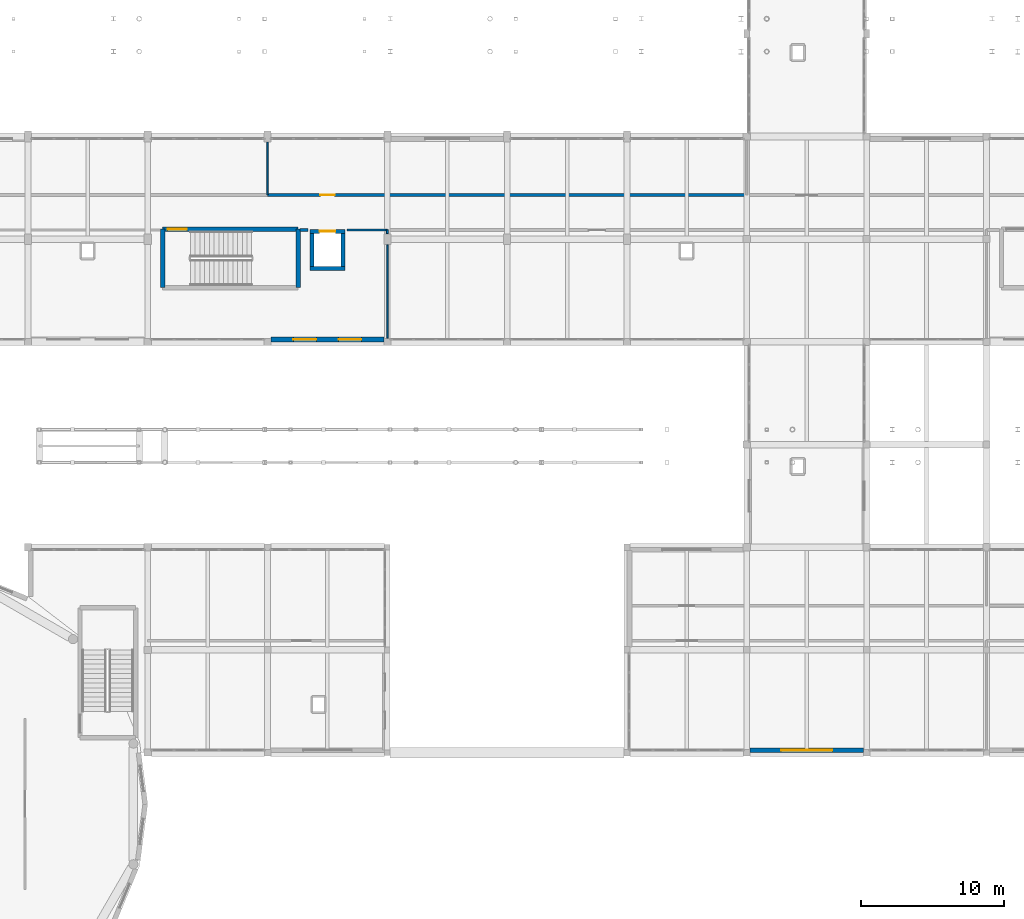
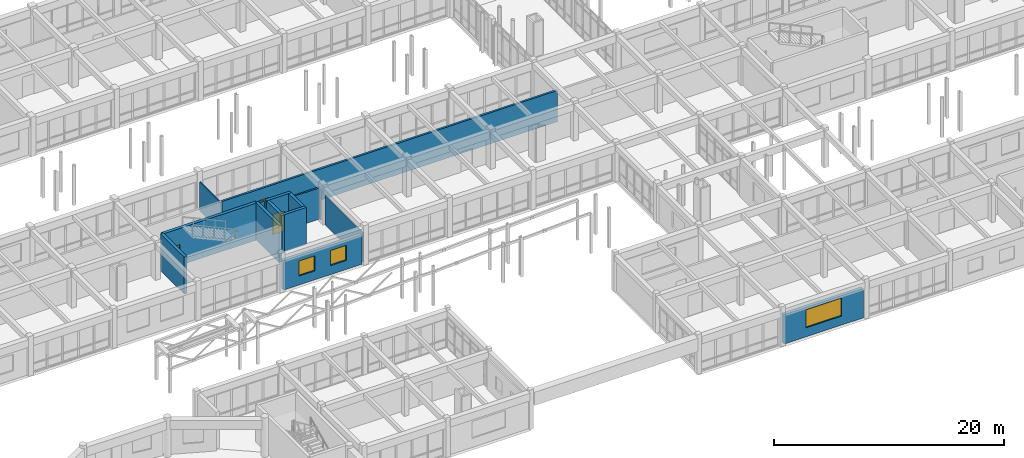
# One storey, part 126 of 147: 15 walls, 3 doors, 3 windows, 6 openings.
"""IFC4 building model written with IfcOpenShell, lengths in metres."""

from ifc_helpers import new_model, si_unit, direction, frame, frame_2d, origin, place, context, subcontext, project, spatial, rectangle, extrude, material, layer, layer_set, type_object, element, fill, save


model = new_model("IFC4")

# Units and contexts
model_context = context("Model", 3, precision=1e-05, world=origin(), true_north=direction((0.0, 1.0)))
body_context = subcontext(model_context, "Body", "Model", "MODEL_VIEW")
ifc_project = project(units=[si_unit("LENGTHUNIT", "METRE"), si_unit("AREAUNIT", "SQUARE_METRE"), si_unit("VOLUMEUNIT", "CUBIC_METRE"), si_unit("PLANEANGLEUNIT", "RADIAN"), si_unit("MASSUNIT", "GRAM", prefix="KILO")], contexts=[model_context])

# Site, building, storey
site_placement = place(None, origin())
site = spatial("IfcSite", under=ifc_project, at=site_placement, CompositionType="ELEMENT")
building_placement = place(site_placement, origin())
building = spatial("IfcBuilding", under=site, at=building_placement, Name="Malvenik Polytechnic", CompositionType="ELEMENT")
storey_placement = place(building_placement, frame((0.0, 0.0, 5.10009765625)))
storey = spatial("IfcBuildingStorey", under=building, at=storey_placement, Name="L01", CompositionType="ELEMENT", Elevation=5.10009765625)

# Wall
ifc_material_1 = material(Name="Concrete C35/45", Category="concrete")
ifc_layer_1 = layer(ifc_material_1, 0.280029296875)
ifc_layer_set_1 = layer_set([ifc_layer_1], Name="Concrete C35/45")
wall_type_1 = type_object("IfcWallType", Name="ARC-CW-S280", PredefinedType="SHEAR", material=ifc_layer_set_1)
wall_1_placement = place(storey_placement, frame((47.43994140625, 55.550048828125, 0.0), z_axis=(0.0, 0.0, 1.0), x_axis=(-1.0, 0.0, 0.0)))
element("IfcWall", 1, at=wall_1_placement, inside=storey, type_object=wall_type_1, Name="Lift Shaft Shear Wall LP-03 L01 -Y", PredefinedType="SHEAR", context=body_context, shape_type="SweptSolid", body=[
    extrude(rectangle(XDim=2.47998046875, YDim=0.280029296875, at=frame_2d((1.239990234375, 0.0))), origin(), (0.0, 0.0, 1.0), 3.919921875),
])

# Wall, opening, door
wall_2_placement = place(storey_placement, frame((44.9599609375, 58.14990234375, 0.0), z_axis=(0.0, 0.0, 1.0), x_axis=(1.0, 0.0, 0.0)))
wall_2 = element("IfcWall", 2, at=wall_2_placement, inside=storey, type_object=wall_type_1, Name="Lift Shaft Shear Wall LP-03 L01 +Y", PredefinedType="SHEAR", context=body_context, shape_type="SweptSolid", body=[
    extrude(rectangle(XDim=2.47998046875, YDim=0.280029296875, at=frame_2d((1.239990234375, 0.0))), origin(), (0.0, 0.0, 1.0), 3.919921875),
])
opening_1_placement = place(wall_2_placement, frame((0.68994140625, 0.0, 0.0)))
opening_1 = element("IfcOpeningElement", 3, at=opening_1_placement, cuts=wall_2, Name="Opening LD-01", PredefinedType="OPENING", context=body_context, shape_type="SweptSolid", body=[
    extrude(rectangle(XDim=1.10009765625, YDim=2.14990234375, at=frame_2d((0.550048828125, 1.074951171875))), frame((0.0, 0.14990234375, 0.0), z_axis=(0.0, -1.0, 0.0), x_axis=(1.0, 0.0, 0.0)), (0.0, 0.0, 1.0), 0.300048828125),
])
ifc_material_2 = material(Name="Stainless steel fire-rated sliding lift landing door", Category="steel")
door_type_1 = type_object("IfcDoorType", Name="ARC-LDR-LD-01", OperationType="NOTDEFINED", PredefinedType="DOOR", material=ifc_material_2)
door_1_placement = place(opening_1_placement, origin())
door_1 = element("IfcDoor", 4, at=door_1_placement, inside=storey, type_object=door_type_1, Name="Lift Sliding Landing Door LP-03 L01", OperationType="DOUBLE_DOOR_SLIDING", OverallHeight=2.14990234375, OverallWidth=1.10009765625, PredefinedType="DOOR", context=body_context, shape_type="SweptSolid", body=[
    extrude(rectangle(XDim=1.10009765625, YDim=2.14990234375, at=frame_2d((0.550048828125, 1.074951171875))), frame((0.0, 0.02490234375, 0.0), z_axis=(0.0, -1.0, 0.0), x_axis=(1.0, 0.0, 0.0)), (0.0, 0.0, 1.0), 0.050048828125),
])
fill(opening_1, door_1)

# Walls
for number, where, z_axis, x_axis, name in (
    (5, (45.10009765625, 55.409912109375, 0.0), (0.0, 0.0, 1.0), (0.0, 1.0, 0.0), "Lift Shaft Shear Wall LP-03 L01 -X"),
    (6, (47.300048828125, 58.2900390625, 0.0), (0.0, 0.0, 1.0), (0.0, -1.0, 0.0), "Lift Shaft Shear Wall LP-03 L01 +X"),
):
    element("IfcWall", number, at=place(storey_placement, frame(where, z_axis=z_axis, x_axis=x_axis)), inside=storey, type_object=wall_type_1, Name=name, PredefinedType="SHEAR", context=body_context, shape_type="SweptSolid", body=[
        extrude(rectangle(XDim=2.880126953125, YDim=0.280029296875, at=frame_2d((1.43994140625, 0.0))), origin(), (0.0, 0.0, 1.0), 3.919921875),
    ])
ifc_layer_2 = layer(ifc_material_1, 0.300048828125)
ifc_layer_set_2 = layer_set([ifc_layer_2], Name="Concrete C35/45")
wall_type_2 = type_object("IfcWallType", Name="ARC-CW-S300", PredefinedType="SHEAR", material=ifc_layer_set_2)
wall_3_placement = place(storey_placement, frame((34.64990234375, 54.199951171875, 0.0), z_axis=(0.0, 0.0, 1.0), x_axis=(0.0, 1.0, 0.0)))
element("IfcWall", 7, at=wall_3_placement, inside=storey, type_object=wall_type_2, Name="Stair Core Shear Wall ST-06 L01 NEAR", PredefinedType="SHEAR", context=body_context, shape_type="SweptSolid", body=[
    extrude(rectangle(XDim=4.10009765625, YDim=0.300048828125, at=frame_2d((2.050048828125, 0.0))), origin(), (0.0, 0.0, 1.0), 3.919921875),
])

# Wall, opening, door
wall_4_placement = place(storey_placement, frame((34.64990234375, 58.300048828125, 0.0), z_axis=(0.0, 0.0, 1.0), x_axis=(1.0, 0.0, 0.0)))
wall_4 = element("IfcWall", 8, at=wall_4_placement, inside=storey, type_object=wall_type_2, Name="Stair Core Shear Wall ST-06 L01 RGHT", PredefinedType="SHEAR", context=body_context, shape_type="SweptSolid", body=[
    extrude(rectangle(XDim=9.5, YDim=0.300048828125, at=frame_2d((4.75, 0.0))), origin(), (0.0, 0.0, 1.0), 3.919921875),
])
opening_2_placement = place(wall_4_placement, frame((0.35009765625, 0.0, 0.0)))
opening_2 = element("IfcOpeningElement", 9, at=opening_2_placement, cuts=wall_4, Name="Opening SD-01", PredefinedType="OPENING", context=body_context, shape_type="SweptSolid", body=[
    extrude(rectangle(XDim=1.35009765625, YDim=2.199951171875, at=frame_2d((0.675048828125, 1.10009765625))), frame((0.0, 0.16015625, 0.0), z_axis=(0.0, -1.0, 0.0), x_axis=(1.0, 0.0, 0.0)), (0.0, 0.0, 1.0), 0.320068359375),
])
ifc_material_3 = material(Name="Fire-rated steel stair enclosure door", Category="steel")
door_type_2 = type_object("IfcDoorType", Name="ARC-IDR-SD-01", OperationType="NOTDEFINED", PredefinedType="DOOR", material=ifc_material_3)
door_2_placement = place(opening_2_placement, origin())
door_2 = element("IfcDoor", 10, at=door_2_placement, inside=storey, type_object=door_type_2, Name="Fire Stair Door ST-06 L01", OperationType="SINGLE_SWING_LEFT", OverallHeight=2.199951171875, OverallWidth=1.35009765625, PredefinedType="DOOR", context=body_context, shape_type="SweptSolid", body=[
    extrude(rectangle(XDim=1.35009765625, YDim=2.199951171875, at=frame_2d((0.675048828125, 1.10009765625))), frame((0.0, 0.02490234375, 0.0), z_axis=(0.0, -1.0, 0.0), x_axis=(1.0, 0.0, 0.0)), (0.0, 0.0, 1.0), 0.050048828125),
])
fill(opening_2, door_2)

# Wall
wall_5_placement = place(storey_placement, frame((44.14990234375, 58.300048828125, 0.0), z_axis=(0.0, 0.0, 1.0), x_axis=(0.0, -1.0, 0.0)))
element("IfcWall", 11, at=wall_5_placement, inside=storey, type_object=wall_type_2, Name="Stair Core Shear Wall ST-06 L01 FAR", PredefinedType="SHEAR", context=body_context, shape_type="SweptSolid", body=[
    extrude(rectangle(XDim=4.10009765625, YDim=0.300048828125, at=frame_2d((2.050048828125, 0.0))), origin(), (0.0, 0.0, 1.0), 3.919921875),
])

# Wall, opening, window
ifc_material_4 = material(Name="Concrete C30/37", Category="concrete")
ifc_layer_3 = layer(ifc_material_4, 0.340087890625)
ifc_layer_set_3 = layer_set([ifc_layer_3], Name="Concrete C30/37")
wall_type_3 = type_object("IfcWallType", Name="ARC-EW-340", PredefinedType="SOLIDWALL", material=ifc_layer_set_3)
wall_6_placement = place(storey_placement, frame((83.777099609375, 21.77001953125, 0.0), z_axis=(0.0, 0.0, 1.0), x_axis=(-1.0, 0.0, 0.0)))
wall_6 = element("IfcWall", 12, at=wall_6_placement, inside=storey, type_object=wall_type_3, Name="External Facade Wall EW-02 L01 #235", PredefinedType="SOLIDWALL", context=body_context, shape_type="SweptSolid", body=[
    extrude(rectangle(XDim=7.9541015625, YDim=0.340087890625, at=frame_2d((3.97705078125, 0.0))), origin(), (0.0, 0.0, 1.0), 3.10986328125),
])
opening_3_placement = place(wall_6_placement, frame((2.177001953125, 0.0, 0.949951171875)))
opening_3 = element("IfcOpeningElement", 13, at=opening_3_placement, cuts=wall_6, Name="Opening W-17", PredefinedType="OPENING", context=body_context, shape_type="SweptSolid", body=[
    extrude(rectangle(XDim=3.60009765625, YDim=1.909912109375, at=frame_2d((1.800048828125, 0.955078125))), frame((0.0, 0.18017578125, 0.0), z_axis=(0.0, -1.0, 0.0), x_axis=(1.0, 0.0, 0.0)), (0.0, 0.0, 1.0), 0.360107421875),
])
ifc_material_5 = material(Name="Thermally broken aluminium frame with low-E double glazing", Category="aluminium")
window_type_1 = type_object("IfcWindowType", Name="ARC-WIN-W-17", PartitioningType="SINGLE_PANEL", PredefinedType="WINDOW", material=ifc_material_5)
window_1_placement = place(opening_3_placement, origin())
window_1 = element("IfcWindow", 14, at=window_1_placement, inside=storey, type_object=window_type_1, Name="Punched Window W-17 L01 #198", OverallHeight=1.909912109375, OverallWidth=3.60009765625, PartitioningType="SINGLE_PANEL", PredefinedType="WINDOW", context=body_context, shape_type="SweptSolid", body=[
    extrude(rectangle(XDim=3.60009765625, YDim=1.909912109375, at=frame_2d((1.800048828125, 0.955078125))), frame((0.0, 0.030029296875, 0.0), z_axis=(0.0, -1.0, 0.0), x_axis=(1.0, 0.0, 0.0)), (0.0, 0.0, 1.0), 0.06005859375),
])
fill(opening_3, window_1)

# Wall, openings, windows
wall_7_placement = place(storey_placement, frame((50.152099609375, 50.570068359375, 0.0), z_axis=(0.0, 0.0, 1.0), x_axis=(-1.0, 0.0, 0.0)))
wall_7 = element("IfcWall", 15, at=wall_7_placement, inside=storey, type_object=wall_type_3, Name="External Facade Wall EW-02 L01 #239", PredefinedType="SOLIDWALL", context=body_context, shape_type="SweptSolid", body=[
    extrude(rectangle(XDim=7.904052734375, YDim=0.340087890625, at=frame_2d((3.9521484375, 0.0))), origin(), (0.0, 0.0, 1.0), 3.10986328125),
])
opening_4_placement = place(wall_7_placement, frame((1.568115234375, 0.0, 0.949951171875)))
opening_4 = element("IfcOpeningElement", 16, at=opening_4_placement, cuts=wall_7, Name="Opening W-20", PredefinedType="OPENING", context=body_context, shape_type="SweptSolid", body=[
    extrude(rectangle(XDim=1.60009765625, YDim=1.60009765625, at=frame_2d((0.800048828125, 0.800048828125))), frame((0.0, 0.18017578125, 0.0), z_axis=(0.0, -1.0, 0.0), x_axis=(1.0, 0.0, 0.0)), (0.0, 0.0, 1.0), 0.360107421875),
])
opening_5_placement = place(wall_7_placement, frame((4.736083984375, 0.0, 0.949951171875)))
opening_5 = element("IfcOpeningElement", 17, at=opening_5_placement, cuts=wall_7, Name="Opening W-20", PredefinedType="OPENING", context=body_context, shape_type="SweptSolid", body=[
    extrude(rectangle(XDim=1.60009765625, YDim=1.60009765625, at=frame_2d((0.800048828125, 0.800048828125))), frame((0.0, 0.18017578125, 0.0), z_axis=(0.0, -1.0, 0.0), x_axis=(1.0, 0.0, 0.0)), (0.0, 0.0, 1.0), 0.360107421875),
])
window_type_2 = type_object("IfcWindowType", Name="ARC-WIN-W-20", PartitioningType="SINGLE_PANEL", PredefinedType="WINDOW", material=ifc_material_5)
window_2_placement = place(opening_4_placement, origin())
window_2 = element("IfcWindow", 18, at=window_2_placement, inside=storey, type_object=window_type_2, Name="Punched Window W-20 L01 #201", OverallHeight=1.60009765625, OverallWidth=1.60009765625, PartitioningType="SINGLE_PANEL", PredefinedType="WINDOW", context=body_context, shape_type="SweptSolid", body=[
    extrude(rectangle(XDim=1.60009765625, YDim=1.60009765625, at=frame_2d((0.800048828125, 0.800048828125))), frame((0.0, 0.030029296875, 0.0), z_axis=(0.0, -1.0, 0.0), x_axis=(1.0, 0.0, 0.0)), (0.0, 0.0, 1.0), 0.06005859375),
])
fill(opening_4, window_2)
window_3_placement = place(opening_5_placement, origin())
window_3 = element("IfcWindow", 19, at=window_3_placement, inside=storey, type_object=window_type_2, Name="Punched Window W-20 L01 #202", OverallHeight=1.60009765625, OverallWidth=1.60009765625, PartitioningType="SINGLE_PANEL", PredefinedType="WINDOW", context=body_context, shape_type="SweptSolid", body=[
    extrude(rectangle(XDim=1.60009765625, YDim=1.60009765625, at=frame_2d((0.800048828125, 0.800048828125))), frame((0.0, 0.030029296875, 0.0), z_axis=(0.0, -1.0, 0.0), x_axis=(1.0, 0.0, 0.0)), (0.0, 0.0, 1.0), 0.06005859375),
])
fill(opening_5, window_3)

# Wall, opening, door
ifc_material_6 = material(Name="Calcium silicate fire-rated blockwork 200mm", Category="masonry")
ifc_layer_4 = layer(ifc_material_6, 0.199951171875)
ifc_layer_set_4 = layer_set([ifc_layer_4], Name="Calcium silicate fire-rated blockwork 200mm")
wall_type_4 = type_object("IfcWallType", Name="ARC-FW-200", PredefinedType="SOLIDWALL", material=ifc_layer_set_4)
wall_8_placement = place(storey_placement, frame((42.0, 60.699951171875, 0.0), z_axis=(0.0, 0.0, 1.0), x_axis=(1.0, 0.0, 0.0)))
wall_8 = element("IfcWall", 20, at=wall_8_placement, inside=storey, type_object=wall_type_4, Name="Interior Partition FW-02 L01 #198", PredefinedType="SOLIDWALL", context=body_context, shape_type="SweptSolid", body=[
    extrude(rectangle(XDim=33.60009765625, YDim=0.199951171875, at=frame_2d((16.800048828125, 0.0))), origin(), (0.0, 0.0, 1.0), 3.304931640625),
])
opening_6_placement = place(wall_8_placement, frame((3.699951171875, 0.0, 0.0)))
opening_6 = element("IfcOpeningElement", 21, at=opening_6_placement, cuts=wall_8, Name="Opening FD-07", PredefinedType="OPENING", context=body_context, shape_type="SweptSolid", body=[
    extrude(rectangle(XDim=1.0, YDim=2.10009765625, at=frame_2d((0.5, 1.050048828125))), frame((0.0, 0.10986328125, 0.0), z_axis=(0.0, -1.0, 0.0), x_axis=(1.0, 0.0, 0.0)), (0.0, 0.0, 1.0), 0.219970703125),
])
ifc_material_7 = material(Name="Fire-rated washroom corridor door", Category="steel")
door_type_3 = type_object("IfcDoorType", Name="ARC-IDR-FD-07", OperationType="NOTDEFINED", PredefinedType="DOOR", material=ifc_material_7)
door_3_placement = place(opening_6_placement, origin())
door_3 = element("IfcDoor", 22, at=door_3_placement, inside=storey, type_object=door_type_3, Name="Interior Door FD-07 L01 #84", OperationType="SINGLE_SWING_RIGHT", OverallHeight=2.10009765625, OverallWidth=1.0, PredefinedType="DOOR", context=body_context, shape_type="SweptSolid", body=[
    extrude(rectangle(XDim=1.0, YDim=2.10009765625, at=frame_2d((0.5, 1.050048828125))), frame((0.0, 0.02490234375, 0.0), z_axis=(0.0, -1.0, 0.0), x_axis=(1.0, 0.0, 0.0)), (0.0, 0.0, 1.0), 0.050048828125),
])
fill(opening_6, door_3)

# Walls
wall_9_placement = place(storey_placement, frame((44.830078125, 58.25, 0.0), z_axis=(0.0, 0.0, 1.0), x_axis=(-1.0, 0.0, 0.0)))
element("IfcWall", 23, at=wall_9_placement, inside=storey, type_object=wall_type_4, Name="Interior Partition FW-02 L01 #204", PredefinedType="SOLIDWALL", context=body_context, shape_type="SweptSolid", body=[
    extrude(rectangle(XDim=0.5400390625, YDim=0.199951171875, at=frame_2d((0.27001953125, 0.0))), origin(), (0.0, 0.0, 1.0), 3.849853515625),
])
ifc_material_8 = material(Name="Lightweight gypsum partition 110mm", Category="gypsum")
ifc_layer_5 = layer(ifc_material_8, 0.110107421875)
ifc_layer_set_5 = layer_set([ifc_layer_5], Name="Lightweight gypsum partition 110mm")
wall_type_5 = type_object("IfcWallType", Name="ARC-PW-110", PredefinedType="PARTITIONING", material=ifc_layer_set_5)
wall_10_placement = place(storey_placement, frame((42.0, 60.699951171875, 0.0), z_axis=(0.0, 0.0, 1.0), x_axis=(0.0, 1.0, 0.0)))
element("IfcWall", 24, at=wall_10_placement, inside=storey, type_object=wall_type_5, Name="Interior Partition PW-04I L01 #197", PredefinedType="PARTITIONING", context=body_context, shape_type="SweptSolid", body=[
    extrude(rectangle(XDim=3.705078125, YDim=0.110107421875, at=frame_2d((1.8525390625, 0.0))), origin(), (0.0, 0.0, 1.0), 3.10498046875),
])
wall_11_placement = place(storey_placement, frame((50.39990234375, 50.669921875, 0.0), z_axis=(0.0, 0.0, 1.0), x_axis=(0.0, 1.0, 0.0)))
element("IfcWall", 25, at=wall_11_placement, inside=storey, type_object=wall_type_5, Name="Interior Partition PW-04I L01 #206", PredefinedType="PARTITIONING", context=body_context, shape_type="SweptSolid", body=[
    extrude(rectangle(XDim=6.53515625, YDim=0.110107421875, at=frame_2d((3.267578125, 0.0))), origin(), (0.0, 0.0, 1.0), 3.10498046875),
])
ifc_material_9 = material(Name="Acoustic metal-stud gypsum partition 140mm", Category="gypsum")
ifc_layer_6 = layer(ifc_material_9, 0.139892578125)
ifc_layer_set_6 = layer_set([ifc_layer_6], Name="Acoustic metal-stud gypsum partition 140mm")
wall_type_6 = type_object("IfcWallType", Name="ARC-PW-140", PredefinedType="PARTITIONING", material=ifc_layer_set_6)
wall_12_placement = place(storey_placement, frame((50.39990234375, 57.9951171875, 0.0), z_axis=(0.0, 0.0, 1.0), x_axis=(0.0, 1.0, 0.0)))
element("IfcWall", 26, at=wall_12_placement, inside=storey, type_object=wall_type_6, Name="Interior Partition PW-02I L01 #207", PredefinedType="PARTITIONING", context=body_context, shape_type="SweptSolid", body=[
    extrude(rectangle(XDim=0.2548828125, YDim=0.139892578125, at=frame_2d((0.12744140625, 0.0))), origin(), (0.0, 0.0, 1.0), 3.15478515625),
])
ifc_material_10 = material(Name="Double-stud acoustic gypsum board partition 160mm", Category="gypsum")
ifc_layer_7 = layer(ifc_material_10, 0.159912109375)
ifc_layer_set_7 = layer_set([ifc_layer_7], Name="Double-stud acoustic gypsum board partition 160mm")
wall_type_7 = type_object("IfcWallType", Name="ARC-PW-160", PredefinedType="PARTITIONING", material=ifc_layer_set_7)
wall_13_placement = place(storey_placement, frame((50.39990234375, 58.25, 0.0), z_axis=(0.0, 0.0, 1.0), x_axis=(-1.0, 0.0, 0.0)))
element("IfcWall", 27, at=wall_13_placement, inside=storey, type_object=wall_type_7, Name="Interior Partition PW-01I L01 #203", PredefinedType="PARTITIONING", context=body_context, shape_type="SweptSolid", body=[
    extrude(rectangle(XDim=2.829833984375, YDim=0.159912109375, at=frame_2d((1.4150390625, 0.0))), origin(), (0.0, 0.0, 1.0), 3.304931640625),
])

save(model, "model.ifc")
